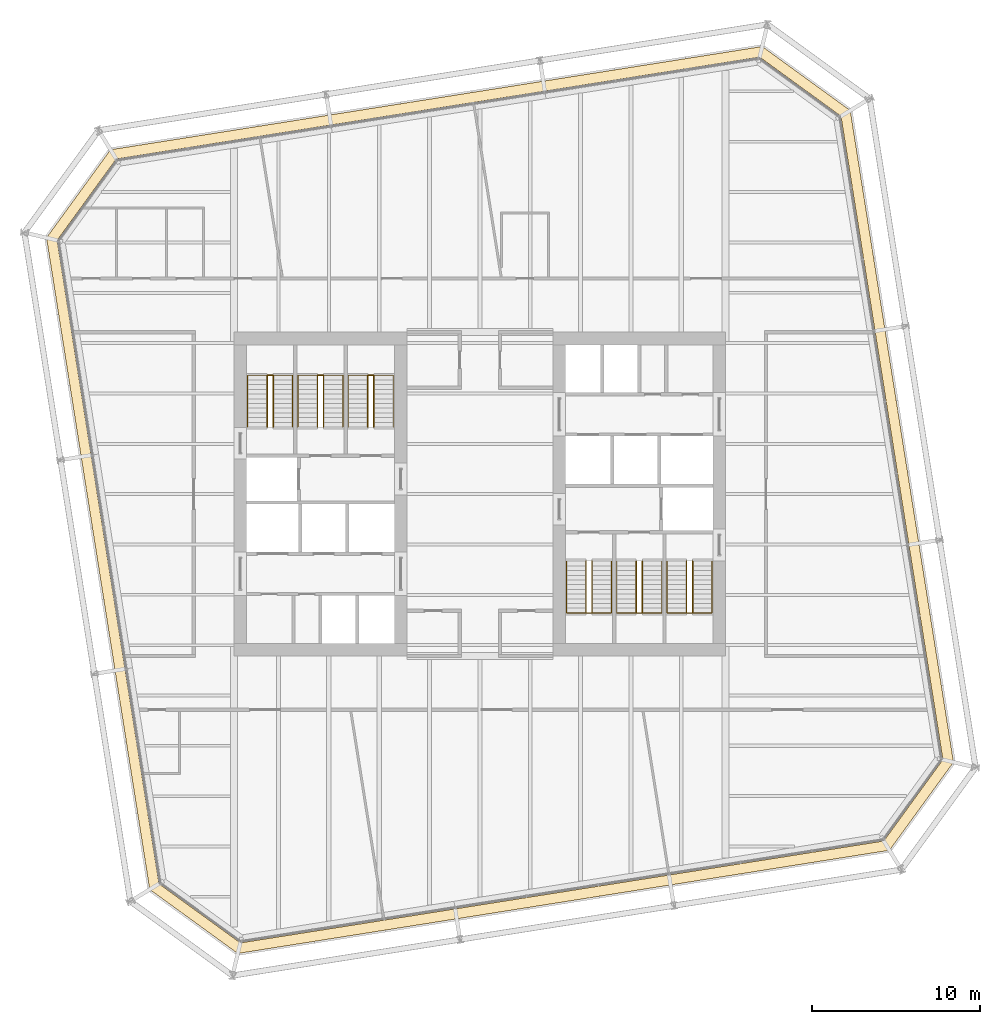
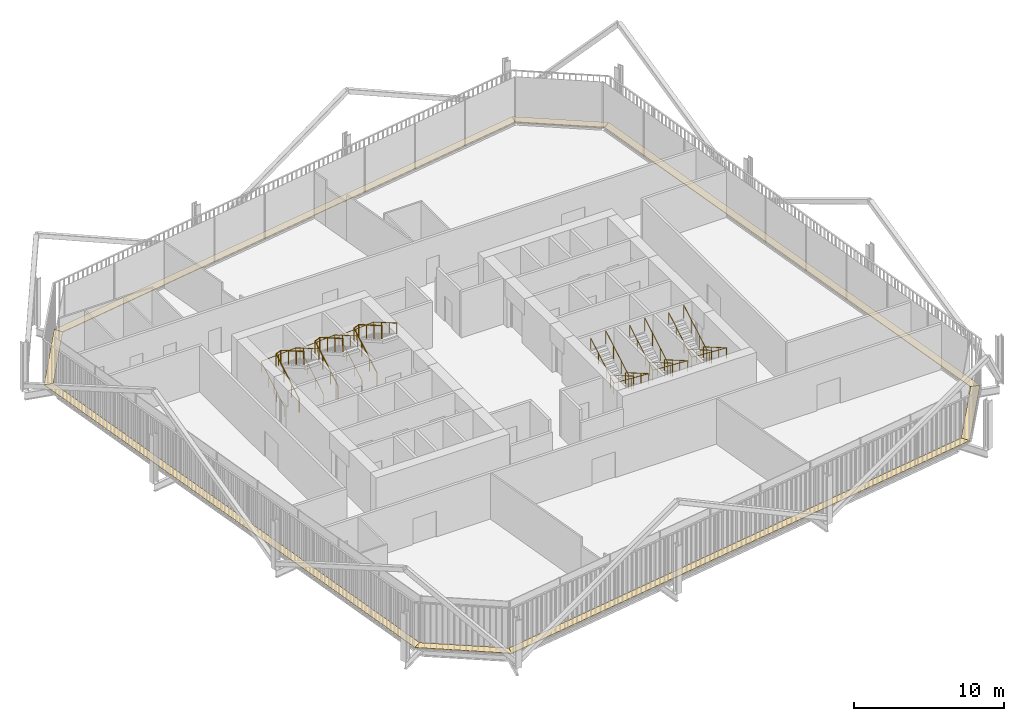
# One storey, part 22 of 22: 12 railings, 8 coverings.
"""IFC4 building model written with IfcOpenShell, lengths in metres."""

from ifc_helpers import new_model, si_unit, direction, frame, origin, origin_2d, place, context, subcontext, project, spatial, polyline, circle, outline, extrude, material, layer, layer_set, type_object, element, save


model = new_model("IFC4")

# Units and contexts
model_context = context("Model", 3, precision=1e-05, world=origin(), true_north=direction((0.0, 1.0)))
body_context = subcontext(model_context, "Body", "Model", "MODEL_VIEW")
ifc_project = project(units=[si_unit("LENGTHUNIT", "METRE"), si_unit("AREAUNIT", "SQUARE_METRE"), si_unit("VOLUMEUNIT", "CUBIC_METRE"), si_unit("PLANEANGLEUNIT", "RADIAN"), si_unit("MASSUNIT", "GRAM", prefix="KILO")], contexts=[model_context])

# Site, building, storey
site_placement = place(None, origin())
site = spatial("IfcSite", under=ifc_project, at=site_placement, CompositionType="ELEMENT")
building_placement = place(site_placement, origin())
building = spatial("IfcBuilding", under=site, at=building_placement, Name="Millrace Tower", CompositionType="ELEMENT")
storey_placement = place(building_placement, frame((0.0, 0.0, 137.300048828125)))
storey = spatial("IfcBuildingStorey", under=building, at=storey_placement, Name="L30", CompositionType="ELEMENT", Elevation=137.300048828125)

# Coverings
ifc_material_1 = material(Name="Steel ASTM A36", Category="steel")
ifc_layer = layer(ifc_material_1, 0.050048828125)
ifc_layer_set = layer_set([ifc_layer], Name="Steel ASTM A36")
covering_type = type_object("IfcCoveringType", Name="CAVITY CATWALK steel grating", PredefinedType="FLOORING", material=ifc_layer_set)
placement = place(storey_placement, frame((0.0, 0.0, 0.099853515625)))
element("IfcCovering", 1, at=placement, inside=storey, type_object=covering_type, Name="Cavity catwalk grating C-F01 L30 1", PredefinedType="FLOORING", context=body_context, shape_type="SweptSolid", body=[
    extrude(outline(polyline([(-19.67578125, -23.562255859375), (-14.425048828125, -27.376953125), (-14.2734375, -26.74560546875), (-19.1220703125, -23.222900390625), (-19.67578125, -23.562255859375)])), origin(), (0.0, 0.0, 1.0), 0.050048828125),
])
element("IfcCovering", 2, at=placement, inside=storey, type_object=covering_type, Name="Cavity catwalk grating C-F02 L30 1", PredefinedType="FLOORING", context=body_context, shape_type="SweptSolid", body=[
    extrude(outline(polyline([(-14.425048828125, -27.376953125), (24.412109375, -21.225830078125), (24.07275390625, -20.672119140625), (-14.2734375, -26.74560546875), (-14.425048828125, -27.376953125)])), origin(), (0.0, 0.0, 1.0), 0.050048828125),
])
element("IfcCovering", 3, at=placement, inside=storey, type_object=covering_type, Name="Cavity catwalk grating C-F03 L30 1", PredefinedType="FLOORING", context=body_context, shape_type="SweptSolid", body=[
    extrude(outline(polyline([(24.412109375, -21.225830078125), (28.22705078125, -15.97509765625), (27.595458984375, -15.823486328125), (24.07275390625, -20.672119140625), (24.412109375, -21.225830078125)])), origin(), (0.0, 0.0, 1.0), 0.050048828125),
])
element("IfcCovering", 4, at=placement, inside=storey, type_object=covering_type, Name="Cavity catwalk grating C-F04 L30 1", PredefinedType="FLOORING", context=body_context, shape_type="SweptSolid", body=[
    extrude(outline(polyline([(28.22705078125, -15.97509765625), (22.075927734375, 22.862060546875), (21.522216796875, 22.522705078125), (27.595458984375, -15.823486328125), (28.22705078125, -15.97509765625)])), origin(), (0.0, 0.0, 1.0), 0.050048828125),
])
element("IfcCovering", 5, at=placement, inside=storey, type_object=covering_type, Name="Cavity catwalk grating C-F05 L30 1", PredefinedType="FLOORING", context=body_context, shape_type="SweptSolid", body=[
    extrude(outline(polyline([(22.075927734375, 22.862060546875), (16.824951171875, 26.677001953125), (16.67333984375, 26.045654296875), (21.522216796875, 22.522705078125), (22.075927734375, 22.862060546875)])), origin(), (0.0, 0.0, 1.0), 0.050048828125),
])
element("IfcCovering", 6, at=placement, inside=storey, type_object=covering_type, Name="Cavity catwalk grating C-F06 L30 1", PredefinedType="FLOORING", context=body_context, shape_type="SweptSolid", body=[
    extrude(outline(polyline([(16.824951171875, 26.677001953125), (-22.01220703125, 20.52587890625), (-21.6728515625, 19.97216796875), (16.67333984375, 26.045654296875), (16.824951171875, 26.677001953125)])), origin(), (0.0, 0.0, 1.0), 0.050048828125),
])
element("IfcCovering", 7, at=placement, inside=storey, type_object=covering_type, Name="Cavity catwalk grating C-F07 L30 1", PredefinedType="FLOORING", context=body_context, shape_type="SweptSolid", body=[
    extrude(outline(polyline([(-22.01220703125, 20.52587890625), (-25.8271484375, 15.275146484375), (-25.195556640625, 15.12353515625), (-21.6728515625, 19.97216796875), (-22.01220703125, 20.52587890625)])), origin(), (0.0, 0.0, 1.0), 0.050048828125),
])
element("IfcCovering", 8, at=placement, inside=storey, type_object=covering_type, Name="Cavity catwalk grating C-F08 L30 1", PredefinedType="FLOORING", context=body_context, shape_type="SweptSolid", body=[
    extrude(outline(polyline([(-25.8271484375, 15.275146484375), (-19.67578125, -23.562255859375), (-19.1220703125, -23.222900390625), (-25.195556640625, 15.12353515625), (-25.8271484375, 15.275146484375)])), origin(), (0.0, 0.0, 1.0), 0.050048828125),
])

# Railings
ifc_material_2 = material(Name="Stainless steel ASTM A240 type 316", Category="steel")
railing_type_1 = type_object("IfcRailingType", Name="Stair guard 1100", PredefinedType="GUARDRAIL", material=ifc_material_2)
for number, where, name in (
    (9, (-12.679931640625, 4.0, 0.162353515625), "Stair guard 1 W L30"),
    (10, (-9.679931640625, 4.0, 0.162353515625), "Stair guard 2 W L30"),
    (11, (-6.679931640625, 4.0, 0.162353515625), "Stair guard 3 W L30"),
):
    element("IfcRailing", number, at=place(storey_placement, frame(where)), inside=storey, type_object=railing_type_1, Name=name, PredefinedType="GUARDRAIL", context=body_context, shape_type="SweptSolid", body=[
        extrude(circle(Radius=0.02392578125, at=origin_2d()), frame((0.0, 0.0, 1.076171875), z_axis=(0.0, 0.864890721111, 0.501960198159), x_axis=(-1.0, 0.0, 0.0)), (0.0, 0.0, 1.0), 3.561279296875),
        extrude(circle(Radius=0.02392578125, at=origin_2d()), frame((0.0, 3.080078125, 2.86376953125), z_axis=(0.911295775139, 0.0, 0.411752365158), x_axis=(0.0, 1.0, 0.0)), (0.0, 0.0, 1.0), 0.394775390625),
        extrude(circle(Radius=0.02392578125, at=origin_2d()), frame((0.35986328125, 3.080078125, 3.0263671875), z_axis=(0.0, -0.864920483161, 0.501908913857), x_axis=(1.0, 0.0, 0.0)), (0.0, 0.0, 1.0), 3.56103515625),
        extrude(circle(Radius=0.02099609375, at=origin_2d()), origin(), (0.0, 0.0, 1.0), 1.052001953125),
        extrude(circle(Radius=0.02099609375, at=origin_2d()), frame((0.0, 1.026611328125, 0.595947265625)), (0.0, 0.0, 1.0), 1.052001953125),
        extrude(circle(Radius=0.02099609375, at=origin_2d()), frame((0.0, 2.053466796875, 1.191650390625)), (0.0, 0.0, 1.0), 1.052001953125),
        extrude(circle(Radius=0.02099609375, at=origin_2d()), frame((0.0, 3.080078125, 1.78759765625)), (0.0, 0.0, 1.0), 1.052001953125),
        extrude(circle(Radius=0.02099609375, at=origin_2d()), frame((0.35986328125, 3.080078125, 1.9501953125)), (0.0, 0.0, 1.0), 1.052001953125),
        extrude(circle(Radius=0.02099609375, at=origin_2d()), frame((0.35986328125, 2.053466796875, 2.5458984375)), (0.0, 0.0, 1.0), 1.052001953125),
        extrude(circle(Radius=0.02099609375, at=origin_2d()), frame((0.35986328125, 1.026611328125, 3.141845703125)), (0.0, 0.0, 1.0), 1.052001953125),
        extrude(circle(Radius=0.02099609375, at=origin_2d()), frame((0.35986328125, 0.0, 3.737548828125)), (0.0, 0.0, 1.0), 1.052001953125),
    ])
for number, where, name in (
    (12, (12.679931640625, -4.0, 0.162353515625), "Stair guard 1 E L30"),
    (13, (9.679931640625, -4.0, 0.162353515625), "Stair guard 2 E L30"),
    (14, (6.679931640625, -4.0, 0.162353515625), "Stair guard 3 E L30"),
):
    element("IfcRailing", number, at=place(storey_placement, frame(where)), inside=storey, type_object=railing_type_1, Name=name, PredefinedType="GUARDRAIL", context=body_context, shape_type="SweptSolid", body=[
        extrude(circle(Radius=0.02392578125, at=origin_2d()), frame((0.0, 0.0, 1.076171875), z_axis=(0.0, -0.864890721111, 0.501960198159), x_axis=(1.0, 0.0, 0.0)), (0.0, 0.0, 1.0), 3.561279296875),
        extrude(circle(Radius=0.02392578125, at=origin_2d()), frame((0.0, -3.080078125, 2.86376953125), z_axis=(-0.911295775139, 0.0, 0.411752365158), x_axis=(0.0, -1.0, 0.0)), (0.0, 0.0, 1.0), 0.394775390625),
        extrude(circle(Radius=0.02392578125, at=origin_2d()), frame((-0.35986328125, -3.080078125, 3.0263671875), z_axis=(0.0, 0.864920483161, 0.501908913857), x_axis=(-1.0, 0.0, 0.0)), (0.0, 0.0, 1.0), 3.56103515625),
        extrude(circle(Radius=0.02099609375, at=origin_2d()), origin(), (0.0, 0.0, 1.0), 1.052001953125),
        extrude(circle(Radius=0.02099609375, at=origin_2d()), frame((0.0, -1.026611328125, 0.595947265625)), (0.0, 0.0, 1.0), 1.052001953125),
        extrude(circle(Radius=0.02099609375, at=origin_2d()), frame((0.0, -2.053466796875, 1.191650390625)), (0.0, 0.0, 1.0), 1.052001953125),
        extrude(circle(Radius=0.02099609375, at=origin_2d()), frame((0.0, -3.080078125, 1.78759765625)), (0.0, 0.0, 1.0), 1.052001953125),
        extrude(circle(Radius=0.02099609375, at=origin_2d()), frame((-0.35986328125, -3.080078125, 1.9501953125)), (0.0, 0.0, 1.0), 1.052001953125),
        extrude(circle(Radius=0.02099609375, at=origin_2d()), frame((-0.35986328125, -2.053466796875, 2.5458984375)), (0.0, 0.0, 1.0), 1.052001953125),
        extrude(circle(Radius=0.02099609375, at=origin_2d()), frame((-0.35986328125, -1.026611328125, 3.141845703125)), (0.0, 0.0, 1.0), 1.052001953125),
        extrude(circle(Radius=0.02099609375, at=origin_2d()), frame((-0.35986328125, 0.0, 3.737548828125)), (0.0, 0.0, 1.0), 1.052001953125),
    ])
ifc_material_3 = material(Name="Stainless steel ASTM A240 type 316", Category="steel")
railing_type_2 = type_object("IfcRailingType", Name="Stair handrail 900", PredefinedType="HANDRAIL", material=ifc_material_3)
railing_1_placement = place(storey_placement, frame((-13.840087890625, 4.0, 0.162353515625)))
element("IfcRailing", 15, at=railing_1_placement, inside=storey, type_object=railing_type_2, Name="Stair handrail 1 W L30", PredefinedType="HANDRAIL", context=body_context, shape_type="SweptSolid", body=[
    extrude(circle(Radius=0.02392578125, at=origin_2d()), frame((0.0, 0.0, 0.8759765625), z_axis=(0.0, 0.864890721111, 0.501960198159), x_axis=(-1.0, 0.0, 0.0)), (0.0, 0.0, 1.0), 3.561279296875),
    extrude(circle(Radius=0.02392578125, at=origin_2d()), frame((0.0, 3.080078125, 2.66357421875), z_axis=(0.998164834547, 0.0, 0.060555454528), x_axis=(0.0, 1.0, 0.0)), (0.0, 0.0, 1.0), 2.68505859375),
    extrude(circle(Radius=0.02392578125, at=origin_2d()), frame((2.68017578125, 3.080078125, 2.826171875), z_axis=(0.0, -0.864920483161, 0.501908913857), x_axis=(1.0, 0.0, 0.0)), (0.0, 0.0, 1.0), 3.56103515625),
    extrude(circle(Radius=0.02099609375, at=origin_2d()), origin(), (0.0, 0.0, 1.0), 0.851806640625),
    extrude(circle(Radius=0.02099609375, at=origin_2d()), frame((0.0, 1.026611328125, 0.595947265625)), (0.0, 0.0, 1.0), 0.851806640625),
    extrude(circle(Radius=0.02099609375, at=origin_2d()), frame((0.0, 2.053466796875, 1.191650390625)), (0.0, 0.0, 1.0), 0.851806640625),
    extrude(circle(Radius=0.02099609375, at=origin_2d()), frame((0.0, 3.080078125, 1.78759765625)), (0.0, 0.0, 1.0), 0.851806640625),
    extrude(circle(Radius=0.02099609375, at=origin_2d()), frame((1.340087890625, 3.080078125, 1.868896484375)), (0.0, 0.0, 1.0), 0.851806640625),
    extrude(circle(Radius=0.02099609375, at=origin_2d()), frame((2.68017578125, 3.080078125, 1.9501953125)), (0.0, 0.0, 1.0), 0.851806640625),
    extrude(circle(Radius=0.02099609375, at=origin_2d()), frame((2.68017578125, 2.053466796875, 2.5458984375)), (0.0, 0.0, 1.0), 0.851806640625),
    extrude(circle(Radius=0.02099609375, at=origin_2d()), frame((2.68017578125, 1.026611328125, 3.141845703125)), (0.0, 0.0, 1.0), 0.851806640625),
    extrude(circle(Radius=0.02099609375, at=origin_2d()), frame((2.68017578125, 0.0, 3.737548828125)), (0.0, 0.0, 1.0), 0.851806640625),
])
railing_2_placement = place(storey_placement, frame((-10.840087890625, 4.0, 0.162353515625)))
element("IfcRailing", 16, at=railing_2_placement, inside=storey, type_object=railing_type_2, Name="Stair handrail 2 W L30", PredefinedType="HANDRAIL", context=body_context, shape_type="SweptSolid", body=[
    extrude(circle(Radius=0.02392578125, at=origin_2d()), frame((0.0, 0.0, 0.8759765625), z_axis=(0.0, 0.864890721111, 0.501960198159), x_axis=(-1.0, 0.0, 0.0)), (0.0, 0.0, 1.0), 3.561279296875),
    extrude(circle(Radius=0.02392578125, at=origin_2d()), frame((0.0, 3.080078125, 2.66357421875), z_axis=(0.998164834547, 0.0, 0.060555454528), x_axis=(0.0, 1.0, 0.0)), (0.0, 0.0, 1.0), 2.68505859375),
    extrude(circle(Radius=0.02392578125, at=origin_2d()), frame((2.68017578125, 3.080078125, 2.826171875), z_axis=(0.0, -0.864920483161, 0.501908913857), x_axis=(1.0, 0.0, 0.0)), (0.0, 0.0, 1.0), 3.56103515625),
    extrude(circle(Radius=0.02099609375, at=origin_2d()), origin(), (0.0, 0.0, 1.0), 0.851806640625),
    extrude(circle(Radius=0.02099609375, at=origin_2d()), frame((0.0, 1.026611328125, 0.595947265625)), (0.0, 0.0, 1.0), 0.851806640625),
    extrude(circle(Radius=0.02099609375, at=origin_2d()), frame((0.0, 2.053466796875, 1.191650390625)), (0.0, 0.0, 1.0), 0.851806640625),
    extrude(circle(Radius=0.02099609375, at=origin_2d()), frame((0.0, 3.080078125, 1.78759765625)), (0.0, 0.0, 1.0), 0.851806640625),
    extrude(circle(Radius=0.02099609375, at=origin_2d()), frame((1.340087890625, 3.080078125, 1.868896484375)), (0.0, 0.0, 1.0), 0.851806640625),
    extrude(circle(Radius=0.02099609375, at=origin_2d()), frame((2.68017578125, 3.080078125, 1.9501953125)), (0.0, 0.0, 1.0), 0.851806640625),
    extrude(circle(Radius=0.02099609375, at=origin_2d()), frame((2.68017578125, 2.053466796875, 2.5458984375)), (0.0, 0.0, 1.0), 0.851806640625),
    extrude(circle(Radius=0.02099609375, at=origin_2d()), frame((2.68017578125, 1.026611328125, 3.141845703125)), (0.0, 0.0, 1.0), 0.851806640625),
    extrude(circle(Radius=0.02099609375, at=origin_2d()), frame((2.68017578125, 0.0, 3.737548828125)), (0.0, 0.0, 1.0), 0.851806640625),
])
railing_3_placement = place(storey_placement, frame((-7.840087890625, 4.0, 0.162353515625)))
element("IfcRailing", 17, at=railing_3_placement, inside=storey, type_object=railing_type_2, Name="Stair handrail 3 W L30", PredefinedType="HANDRAIL", context=body_context, shape_type="SweptSolid", body=[
    extrude(circle(Radius=0.02392578125, at=origin_2d()), frame((0.0, 0.0, 0.8759765625), z_axis=(0.0, 0.864890721111, 0.501960198159), x_axis=(-1.0, 0.0, 0.0)), (0.0, 0.0, 1.0), 3.561279296875),
    extrude(circle(Radius=0.02392578125, at=origin_2d()), frame((0.0, 3.080078125, 2.66357421875), z_axis=(0.998164834547, 0.0, 0.060555454528), x_axis=(0.0, 1.0, 0.0)), (0.0, 0.0, 1.0), 2.68505859375),
    extrude(circle(Radius=0.02392578125, at=origin_2d()), frame((2.68017578125, 3.080078125, 2.826171875), z_axis=(0.0, -0.864920483161, 0.501908913857), x_axis=(1.0, 0.0, 0.0)), (0.0, 0.0, 1.0), 3.56103515625),
    extrude(circle(Radius=0.02099609375, at=origin_2d()), origin(), (0.0, 0.0, 1.0), 0.851806640625),
    extrude(circle(Radius=0.02099609375, at=origin_2d()), frame((0.0, 1.026611328125, 0.595947265625)), (0.0, 0.0, 1.0), 0.851806640625),
    extrude(circle(Radius=0.02099609375, at=origin_2d()), frame((0.0, 2.053466796875, 1.191650390625)), (0.0, 0.0, 1.0), 0.851806640625),
    extrude(circle(Radius=0.02099609375, at=origin_2d()), frame((0.0, 3.080078125, 1.78759765625)), (0.0, 0.0, 1.0), 0.851806640625),
    extrude(circle(Radius=0.02099609375, at=origin_2d()), frame((1.340087890625, 3.080078125, 1.868896484375)), (0.0, 0.0, 1.0), 0.851806640625),
    extrude(circle(Radius=0.02099609375, at=origin_2d()), frame((2.68017578125, 3.080078125, 1.9501953125)), (0.0, 0.0, 1.0), 0.851806640625),
    extrude(circle(Radius=0.02099609375, at=origin_2d()), frame((2.68017578125, 2.053466796875, 2.5458984375)), (0.0, 0.0, 1.0), 0.851806640625),
    extrude(circle(Radius=0.02099609375, at=origin_2d()), frame((2.68017578125, 1.026611328125, 3.141845703125)), (0.0, 0.0, 1.0), 0.851806640625),
    extrude(circle(Radius=0.02099609375, at=origin_2d()), frame((2.68017578125, 0.0, 3.737548828125)), (0.0, 0.0, 1.0), 0.851806640625),
])
railing_4_placement = place(storey_placement, frame((13.840087890625, -4.0, 0.162353515625)))
element("IfcRailing", 18, at=railing_4_placement, inside=storey, type_object=railing_type_2, Name="Stair handrail 1 E L30", PredefinedType="HANDRAIL", context=body_context, shape_type="SweptSolid", body=[
    extrude(circle(Radius=0.02392578125, at=origin_2d()), frame((0.0, 0.0, 0.8759765625), z_axis=(0.0, -0.864890721111, 0.501960198159), x_axis=(1.0, 0.0, 0.0)), (0.0, 0.0, 1.0), 3.561279296875),
    extrude(circle(Radius=0.02392578125, at=origin_2d()), frame((0.0, -3.080078125, 2.66357421875), z_axis=(-0.998164834547, 0.0, 0.060555454528), x_axis=(0.0, -1.0, 0.0)), (0.0, 0.0, 1.0), 2.68505859375),
    extrude(circle(Radius=0.02392578125, at=origin_2d()), frame((-2.68017578125, -3.080078125, 2.826171875), z_axis=(0.0, 0.864920483161, 0.501908913857), x_axis=(-1.0, 0.0, 0.0)), (0.0, 0.0, 1.0), 3.56103515625),
    extrude(circle(Radius=0.02099609375, at=origin_2d()), origin(), (0.0, 0.0, 1.0), 0.851806640625),
    extrude(circle(Radius=0.02099609375, at=origin_2d()), frame((0.0, -1.026611328125, 0.595947265625)), (0.0, 0.0, 1.0), 0.851806640625),
    extrude(circle(Radius=0.02099609375, at=origin_2d()), frame((0.0, -2.053466796875, 1.191650390625)), (0.0, 0.0, 1.0), 0.851806640625),
    extrude(circle(Radius=0.02099609375, at=origin_2d()), frame((0.0, -3.080078125, 1.78759765625)), (0.0, 0.0, 1.0), 0.851806640625),
    extrude(circle(Radius=0.02099609375, at=origin_2d()), frame((-1.340087890625, -3.080078125, 1.868896484375)), (0.0, 0.0, 1.0), 0.851806640625),
    extrude(circle(Radius=0.02099609375, at=origin_2d()), frame((-2.68017578125, -3.080078125, 1.9501953125)), (0.0, 0.0, 1.0), 0.851806640625),
    extrude(circle(Radius=0.02099609375, at=origin_2d()), frame((-2.68017578125, -2.053466796875, 2.5458984375)), (0.0, 0.0, 1.0), 0.851806640625),
    extrude(circle(Radius=0.02099609375, at=origin_2d()), frame((-2.68017578125, -1.026611328125, 3.141845703125)), (0.0, 0.0, 1.0), 0.851806640625),
    extrude(circle(Radius=0.02099609375, at=origin_2d()), frame((-2.68017578125, 0.0, 3.737548828125)), (0.0, 0.0, 1.0), 0.851806640625),
])
railing_5_placement = place(storey_placement, frame((10.840087890625, -4.0, 0.162353515625)))
element("IfcRailing", 19, at=railing_5_placement, inside=storey, type_object=railing_type_2, Name="Stair handrail 2 E L30", PredefinedType="HANDRAIL", context=body_context, shape_type="SweptSolid", body=[
    extrude(circle(Radius=0.02392578125, at=origin_2d()), frame((0.0, 0.0, 0.8759765625), z_axis=(0.0, -0.864890721111, 0.501960198159), x_axis=(1.0, 0.0, 0.0)), (0.0, 0.0, 1.0), 3.561279296875),
    extrude(circle(Radius=0.02392578125, at=origin_2d()), frame((0.0, -3.080078125, 2.66357421875), z_axis=(-0.998164834547, 0.0, 0.060555454528), x_axis=(0.0, -1.0, 0.0)), (0.0, 0.0, 1.0), 2.68505859375),
    extrude(circle(Radius=0.02392578125, at=origin_2d()), frame((-2.68017578125, -3.080078125, 2.826171875), z_axis=(0.0, 0.864920483161, 0.501908913857), x_axis=(-1.0, 0.0, 0.0)), (0.0, 0.0, 1.0), 3.56103515625),
    extrude(circle(Radius=0.02099609375, at=origin_2d()), origin(), (0.0, 0.0, 1.0), 0.851806640625),
    extrude(circle(Radius=0.02099609375, at=origin_2d()), frame((0.0, -1.026611328125, 0.595947265625)), (0.0, 0.0, 1.0), 0.851806640625),
    extrude(circle(Radius=0.02099609375, at=origin_2d()), frame((0.0, -2.053466796875, 1.191650390625)), (0.0, 0.0, 1.0), 0.851806640625),
    extrude(circle(Radius=0.02099609375, at=origin_2d()), frame((0.0, -3.080078125, 1.78759765625)), (0.0, 0.0, 1.0), 0.851806640625),
    extrude(circle(Radius=0.02099609375, at=origin_2d()), frame((-1.340087890625, -3.080078125, 1.868896484375)), (0.0, 0.0, 1.0), 0.851806640625),
    extrude(circle(Radius=0.02099609375, at=origin_2d()), frame((-2.68017578125, -3.080078125, 1.9501953125)), (0.0, 0.0, 1.0), 0.851806640625),
    extrude(circle(Radius=0.02099609375, at=origin_2d()), frame((-2.68017578125, -2.053466796875, 2.5458984375)), (0.0, 0.0, 1.0), 0.851806640625),
    extrude(circle(Radius=0.02099609375, at=origin_2d()), frame((-2.68017578125, -1.026611328125, 3.141845703125)), (0.0, 0.0, 1.0), 0.851806640625),
    extrude(circle(Radius=0.02099609375, at=origin_2d()), frame((-2.68017578125, 0.0, 3.737548828125)), (0.0, 0.0, 1.0), 0.851806640625),
])
railing_6_placement = place(storey_placement, frame((7.840087890625, -4.0, 0.162353515625)))
element("IfcRailing", 20, at=railing_6_placement, inside=storey, type_object=railing_type_2, Name="Stair handrail 3 E L30", PredefinedType="HANDRAIL", context=body_context, shape_type="SweptSolid", body=[
    extrude(circle(Radius=0.02392578125, at=origin_2d()), frame((0.0, 0.0, 0.8759765625), z_axis=(0.0, -0.864890721111, 0.501960198159), x_axis=(1.0, 0.0, 0.0)), (0.0, 0.0, 1.0), 3.561279296875),
    extrude(circle(Radius=0.02392578125, at=origin_2d()), frame((0.0, -3.080078125, 2.66357421875), z_axis=(-0.998164834547, 0.0, 0.060555454528), x_axis=(0.0, -1.0, 0.0)), (0.0, 0.0, 1.0), 2.68505859375),
    extrude(circle(Radius=0.02392578125, at=origin_2d()), frame((-2.68017578125, -3.080078125, 2.826171875), z_axis=(0.0, 0.864920483161, 0.501908913857), x_axis=(-1.0, 0.0, 0.0)), (0.0, 0.0, 1.0), 3.56103515625),
    extrude(circle(Radius=0.02099609375, at=origin_2d()), origin(), (0.0, 0.0, 1.0), 0.851806640625),
    extrude(circle(Radius=0.02099609375, at=origin_2d()), frame((0.0, -1.026611328125, 0.595947265625)), (0.0, 0.0, 1.0), 0.851806640625),
    extrude(circle(Radius=0.02099609375, at=origin_2d()), frame((0.0, -2.053466796875, 1.191650390625)), (0.0, 0.0, 1.0), 0.851806640625),
    extrude(circle(Radius=0.02099609375, at=origin_2d()), frame((0.0, -3.080078125, 1.78759765625)), (0.0, 0.0, 1.0), 0.851806640625),
    extrude(circle(Radius=0.02099609375, at=origin_2d()), frame((-1.340087890625, -3.080078125, 1.868896484375)), (0.0, 0.0, 1.0), 0.851806640625),
    extrude(circle(Radius=0.02099609375, at=origin_2d()), frame((-2.68017578125, -3.080078125, 1.9501953125)), (0.0, 0.0, 1.0), 0.851806640625),
    extrude(circle(Radius=0.02099609375, at=origin_2d()), frame((-2.68017578125, -2.053466796875, 2.5458984375)), (0.0, 0.0, 1.0), 0.851806640625),
    extrude(circle(Radius=0.02099609375, at=origin_2d()), frame((-2.68017578125, -1.026611328125, 3.141845703125)), (0.0, 0.0, 1.0), 0.851806640625),
    extrude(circle(Radius=0.02099609375, at=origin_2d()), frame((-2.68017578125, 0.0, 3.737548828125)), (0.0, 0.0, 1.0), 0.851806640625),
])

save(model, "model.ifc")
